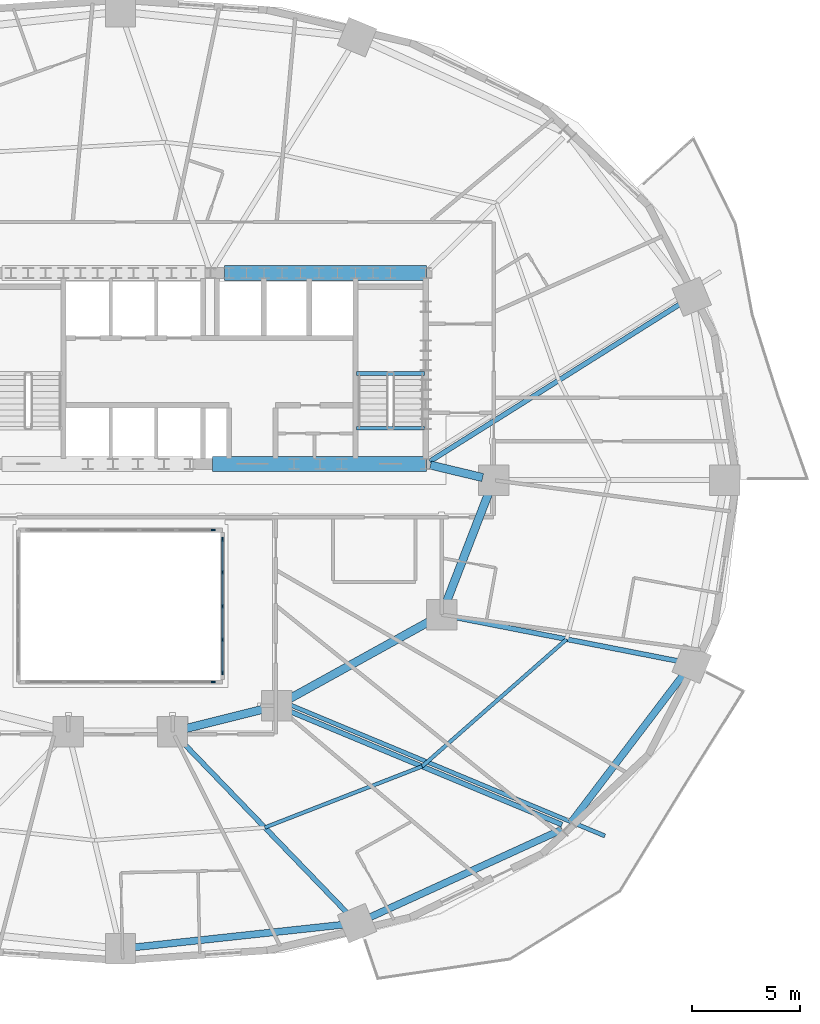
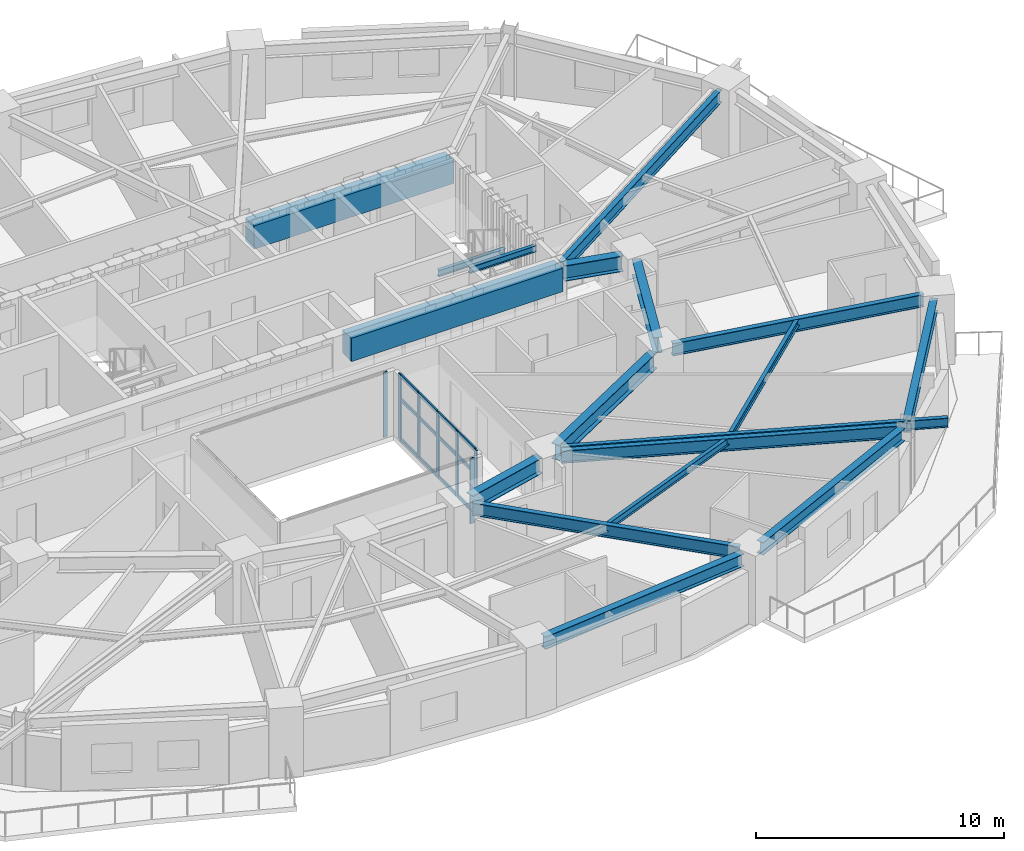
# One storey, part 5 of 15: 19 members, 18 beams, 3 elements without a shape of their own.
"""IFC4 building model written with IfcOpenShell, lengths in metres."""

from ifc_helpers import new_model, si_unit, direction, frame, origin, origin_2d, place, context, subcontext, project, spatial, rectangle, i_section, extrude, material, material_profile, profile_set, type_object, element, aggregate, save


model = new_model("IFC4")

# Units and contexts
model_context = context("Model", 3, precision=1e-05, world=origin(), true_north=direction((0.0, 1.0)))
body_context = subcontext(model_context, "Body", "Model", "MODEL_VIEW")
ifc_project = project(units=[si_unit("LENGTHUNIT", "METRE"), si_unit("AREAUNIT", "SQUARE_METRE"), si_unit("VOLUMEUNIT", "CUBIC_METRE"), si_unit("PLANEANGLEUNIT", "RADIAN"), si_unit("MASSUNIT", "GRAM", prefix="KILO")], contexts=[model_context])

# Site, building, storey
site_placement = place(None, origin())
site = spatial("IfcSite", under=ifc_project, at=site_placement, CompositionType="ELEMENT")
building_placement = place(site_placement, origin())
building = spatial("IfcBuilding", under=site, at=building_placement, Name="Haldorwick Loom Tower", CompositionType="ELEMENT")
storey_placement = place(building_placement, frame((0.0, 0.0, 85.25)))
storey = spatial("IfcBuildingStorey", under=building, at=storey_placement, Name="L22", CompositionType="ELEMENT", Elevation=85.25)

# Curtain wall, member
ifc_material_1 = material(Name="Thermally Broken Anodized Aluminium Curtain Wall Framing", Category="aluminium")
curtain_wall_type = type_object("IfcCurtainWallType", Name="ARC-CW-03", PredefinedType="NOTDEFINED", material=ifc_material_1)
curtain_wall_1_placement = place(storey_placement, origin())
curtain_wall_1 = element("IfcCurtainWall", 1, at=curtain_wall_1_placement, inside=storey, type_object=curtain_wall_type, Name="L22 Atrium Glazed Screen S", PredefinedType="NOTDEFINED")
ifc_material_profile_1 = material_profile(ifc_material_1, rectangle(XDim=0.06591796875, YDim=0.18505859375, at=origin_2d()), Name="ALU_MUL_66X185", Category="aluminium")
ifc_profile_set_1 = profile_set([ifc_material_profile_1], Name="Thermally Broken Anodized Aluminium Curtain Wall Framing")
member_type_1 = type_object("IfcMemberType", Name="ARC-CWM-03", PredefinedType="MULLION", material=ifc_profile_set_1)
member_1_placement = place(storey_placement, frame((40.26708984375, 16.699951171875, 0.0), z_axis=(0.0, 0.0, 1.0), x_axis=(0.0, -1.0, 0.0)))
member_1 = element("IfcMember", 2, at=member_1_placement, type_object=member_type_1, Name="CW-03 mullion 1", PredefinedType="MULLION", context=body_context, shape_type="SweptSolid", body=[
    extrude(rectangle(XDim=0.06591796875, YDim=0.18505859375, at=origin_2d()), origin(), (0.0, 0.0, 1.0), 3.2099609375),
])
aggregate(curtain_wall_1, [member_1])

curtain_wall_2_placement = place(storey_placement, origin())
curtain_wall_2 = element("IfcCurtainWall", 3, at=curtain_wall_2_placement, inside=storey, type_object=curtain_wall_type, Name="L22 Atrium Glazed Screen N", PredefinedType="NOTDEFINED")
member_2_placement = place(storey_placement, frame((40.26708984375, 23.699951171875, 0.0), z_axis=(0.0, 0.0, 1.0), x_axis=(0.0, 1.0, 0.0)))
member_2 = element("IfcMember", 4, at=member_2_placement, type_object=member_type_1, Name="CW-03 mullion 6", PredefinedType="MULLION", context=body_context, shape_type="SweptSolid", body=[
    extrude(rectangle(XDim=0.06591796875, YDim=0.18505859375, at=origin_2d()), origin(), (0.0, 0.0, 1.0), 3.2099609375),
])
aggregate(curtain_wall_2, [member_2])

# Curtain wall, members
curtain_wall_3_placement = place(storey_placement, origin())
curtain_wall_3 = element("IfcCurtainWall", 5, at=curtain_wall_3_placement, inside=storey, type_object=curtain_wall_type, Name="L22 Atrium Glazed Screen E", PredefinedType="NOTDEFINED")
member_3_placement = place(storey_placement, frame((40.699951171875, 23.26708984375, 0.0), z_axis=(0.0, 0.0, 1.0), x_axis=(1.0, 0.0, 0.0)))
member_3 = element("IfcMember", 6, at=member_3_placement, type_object=member_type_1, Name="CW-03 mullion 1", PredefinedType="MULLION", context=body_context, shape_type="SweptSolid", body=[
    extrude(rectangle(XDim=0.06591796875, YDim=0.18505859375, at=origin_2d()), origin(), (0.0, 0.0, 1.0), 3.2099609375),
])
member_4_placement = place(storey_placement, frame((40.699951171875, 21.75, 0.0), z_axis=(0.0, 0.0, 1.0), x_axis=(1.0, 0.0, 0.0)))
member_4 = element("IfcMember", 7, at=member_4_placement, type_object=member_type_1, Name="CW-03 mullion 2", PredefinedType="MULLION", context=body_context, shape_type="SweptSolid", body=[
    extrude(rectangle(XDim=0.06591796875, YDim=0.18505859375, at=origin_2d()), origin(), (0.0, 0.0, 1.0), 3.2099609375),
])
member_5_placement = place(storey_placement, frame((40.699951171875, 20.199951171875, 0.0), z_axis=(0.0, 0.0, 1.0), x_axis=(1.0, 0.0, 0.0)))
member_5 = element("IfcMember", 8, at=member_5_placement, type_object=member_type_1, Name="CW-03 mullion 3", PredefinedType="MULLION", context=body_context, shape_type="SweptSolid", body=[
    extrude(rectangle(XDim=0.06591796875, YDim=0.18505859375, at=origin_2d()), origin(), (0.0, 0.0, 1.0), 3.2099609375),
])
member_6_placement = place(storey_placement, frame((40.699951171875, 18.64990234375, 0.0), z_axis=(0.0, 0.0, 1.0), x_axis=(1.0, 0.0, 0.0)))
member_6 = element("IfcMember", 9, at=member_6_placement, type_object=member_type_1, Name="CW-03 mullion 4", PredefinedType="MULLION", context=body_context, shape_type="SweptSolid", body=[
    extrude(rectangle(XDim=0.06591796875, YDim=0.18505859375, at=origin_2d()), origin(), (0.0, 0.0, 1.0), 3.2099609375),
])
member_7_placement = place(storey_placement, frame((40.699951171875, 17.133056640625, 0.0), z_axis=(0.0, 0.0, 1.0), x_axis=(1.0, 0.0, 0.0)))
member_7 = element("IfcMember", 10, at=member_7_placement, type_object=member_type_1, Name="CW-03 mullion 5", PredefinedType="MULLION", context=body_context, shape_type="SweptSolid", body=[
    extrude(rectangle(XDim=0.06591796875, YDim=0.18505859375, at=origin_2d()), origin(), (0.0, 0.0, 1.0), 3.2099609375),
])
ifc_material_profile_2 = material_profile(ifc_material_1, rectangle(XDim=0.06591796875, YDim=0.1650390625, at=origin_2d()), Name="ALU_TRN_66X165", Category="aluminium")
ifc_profile_set_2 = profile_set([ifc_material_profile_2], Name="Thermally Broken Anodized Aluminium Curtain Wall Framing")
member_type_2 = type_object("IfcMemberType", Name="ARC-CWT-03", PredefinedType="USERDEFINED", material=ifc_profile_set_2)
member_8_placement = place(storey_placement, frame((40.699951171875, 23.23388671875, 0.032958984375), z_axis=(0.0, -1.0, 0.0), x_axis=(1.0, 0.0, 0.0)))
member_8 = element("IfcMember", 11, at=member_8_placement, type_object=member_type_2, Name="CW-03 transom 1.1", ObjectType="TRANSOM", PredefinedType="USERDEFINED", context=body_context, shape_type="SweptSolid", body=[
    extrude(rectangle(XDim=0.06591796875, YDim=0.1650390625, at=origin_2d()), origin(), (0.0, 0.0, 1.0), 1.450927734375),
])
member_9_placement = place(storey_placement, frame((40.699951171875, 23.23388671875, 2.0), z_axis=(0.0, -1.0, 0.0), x_axis=(1.0, 0.0, 0.0)))
member_9 = element("IfcMember", 12, at=member_9_placement, type_object=member_type_2, Name="CW-03 transom 1.2", ObjectType="TRANSOM", PredefinedType="USERDEFINED", context=body_context, shape_type="SweptSolid", body=[
    extrude(rectangle(XDim=0.06591796875, YDim=0.1650390625, at=origin_2d()), origin(), (0.0, 0.0, 1.0), 1.450927734375),
])
member_10_placement = place(storey_placement, frame((40.699951171875, 23.23388671875, 3.177001953125), z_axis=(0.0, -1.0, 0.0), x_axis=(1.0, 0.0, 0.0)))
member_10 = element("IfcMember", 13, at=member_10_placement, type_object=member_type_2, Name="CW-03 transom 1.3", ObjectType="TRANSOM", PredefinedType="USERDEFINED", context=body_context, shape_type="SweptSolid", body=[
    extrude(rectangle(XDim=0.06591796875, YDim=0.1650390625, at=origin_2d()), origin(), (0.0, 0.0, 1.0), 1.450927734375),
])
member_11_placement = place(storey_placement, frame((40.699951171875, 21.717041015625, 0.032958984375), z_axis=(0.0, -1.0, 0.0), x_axis=(1.0, 0.0, 0.0)))
member_11 = element("IfcMember", 14, at=member_11_placement, type_object=member_type_2, Name="CW-03 transom 2.1", ObjectType="TRANSOM", PredefinedType="USERDEFINED", context=body_context, shape_type="SweptSolid", body=[
    extrude(rectangle(XDim=0.06591796875, YDim=0.1650390625, at=origin_2d()), origin(), (0.0, 0.0, 1.0), 1.484130859375),
])
member_12_placement = place(storey_placement, frame((40.699951171875, 21.717041015625, 2.0), z_axis=(0.0, -1.0, 0.0), x_axis=(1.0, 0.0, 0.0)))
member_12 = element("IfcMember", 15, at=member_12_placement, type_object=member_type_2, Name="CW-03 transom 2.2", ObjectType="TRANSOM", PredefinedType="USERDEFINED", context=body_context, shape_type="SweptSolid", body=[
    extrude(rectangle(XDim=0.06591796875, YDim=0.1650390625, at=origin_2d()), origin(), (0.0, 0.0, 1.0), 1.484130859375),
])
member_13_placement = place(storey_placement, frame((40.699951171875, 21.717041015625, 3.177001953125), z_axis=(0.0, -1.0, 0.0), x_axis=(1.0, 0.0, 0.0)))
member_13 = element("IfcMember", 16, at=member_13_placement, type_object=member_type_2, Name="CW-03 transom 2.3", ObjectType="TRANSOM", PredefinedType="USERDEFINED", context=body_context, shape_type="SweptSolid", body=[
    extrude(rectangle(XDim=0.06591796875, YDim=0.1650390625, at=origin_2d()), origin(), (0.0, 0.0, 1.0), 1.484130859375),
])
member_14_placement = place(storey_placement, frame((40.699951171875, 20.1669921875, 0.032958984375), z_axis=(0.0, -1.0, 0.0), x_axis=(1.0, 0.0, 0.0)))
member_14 = element("IfcMember", 17, at=member_14_placement, type_object=member_type_2, Name="CW-03 transom 3.1", ObjectType="TRANSOM", PredefinedType="USERDEFINED", context=body_context, shape_type="SweptSolid", body=[
    extrude(rectangle(XDim=0.06591796875, YDim=0.1650390625, at=origin_2d()), origin(), (0.0, 0.0, 1.0), 1.48388671875),
])
member_15_placement = place(storey_placement, frame((40.699951171875, 20.1669921875, 2.0), z_axis=(0.0, -1.0, 0.0), x_axis=(1.0, 0.0, 0.0)))
member_15 = element("IfcMember", 18, at=member_15_placement, type_object=member_type_2, Name="CW-03 transom 3.2", ObjectType="TRANSOM", PredefinedType="USERDEFINED", context=body_context, shape_type="SweptSolid", body=[
    extrude(rectangle(XDim=0.06591796875, YDim=0.1650390625, at=origin_2d()), origin(), (0.0, 0.0, 1.0), 1.48388671875),
])
member_16_placement = place(storey_placement, frame((40.699951171875, 20.1669921875, 3.177001953125), z_axis=(0.0, -1.0, 0.0), x_axis=(1.0, 0.0, 0.0)))
member_16 = element("IfcMember", 19, at=member_16_placement, type_object=member_type_2, Name="CW-03 transom 3.3", ObjectType="TRANSOM", PredefinedType="USERDEFINED", context=body_context, shape_type="SweptSolid", body=[
    extrude(rectangle(XDim=0.06591796875, YDim=0.1650390625, at=origin_2d()), origin(), (0.0, 0.0, 1.0), 1.48388671875),
])
member_17_placement = place(storey_placement, frame((40.699951171875, 18.616943359375, 0.032958984375), z_axis=(0.0, -1.0, 0.0), x_axis=(1.0, 0.0, 0.0)))
member_17 = element("IfcMember", 20, at=member_17_placement, type_object=member_type_2, Name="CW-03 transom 4.1", ObjectType="TRANSOM", PredefinedType="USERDEFINED", context=body_context, shape_type="SweptSolid", body=[
    extrude(rectangle(XDim=0.06591796875, YDim=0.1650390625, at=origin_2d()), origin(), (0.0, 0.0, 1.0), 1.450927734375),
])
member_18_placement = place(storey_placement, frame((40.699951171875, 18.616943359375, 2.0), z_axis=(0.0, -1.0, 0.0), x_axis=(1.0, 0.0, 0.0)))
member_18 = element("IfcMember", 21, at=member_18_placement, type_object=member_type_2, Name="CW-03 transom 4.2", ObjectType="TRANSOM", PredefinedType="USERDEFINED", context=body_context, shape_type="SweptSolid", body=[
    extrude(rectangle(XDim=0.06591796875, YDim=0.1650390625, at=origin_2d()), origin(), (0.0, 0.0, 1.0), 1.450927734375),
])
member_19_placement = place(storey_placement, frame((40.699951171875, 18.616943359375, 3.177001953125), z_axis=(0.0, -1.0, 0.0), x_axis=(1.0, 0.0, 0.0)))
member_19 = element("IfcMember", 22, at=member_19_placement, type_object=member_type_2, Name="CW-03 transom 4.3", ObjectType="TRANSOM", PredefinedType="USERDEFINED", context=body_context, shape_type="SweptSolid", body=[
    extrude(rectangle(XDim=0.06591796875, YDim=0.1650390625, at=origin_2d()), origin(), (0.0, 0.0, 1.0), 1.450927734375),
])
aggregate(curtain_wall_3, [member_3, member_4, member_5, member_6, member_7, member_8, member_9, member_10, member_11, member_12, member_13, member_14, member_15, member_16, member_17, member_18, member_19])

# Beams
ifc_material_2 = material(Name="Steel CSA G40.21 350W", Category="steel")
ifc_material_profile_3 = material_profile(ifc_material_2, i_section(OverallWidth=0.193115234375, OverallDepth=0.466064453125, WebThickness=0.011474609375, FlangeThickness=0.01904296875, at=origin_2d()), Name="W460X97", Category="steel")
ifc_profile_set_3 = profile_set([ifc_material_profile_3], Name="Steel CSA G40.21 350W")
beam_type_1 = type_object("IfcBeamType", Name="STR-BM-BAL460", PredefinedType="BEAM", material=ifc_profile_set_3)
beam_1_placement = place(storey_placement, frame((43.78759765625, 15.65869140625, 2.97705078125), z_axis=(0.923187850755, -0.384349049976, 0.0), x_axis=(0.384349049976, 0.923187850755, 0.0)))
element("IfcBeam", 23, at=beam_1_placement, inside=storey, type_object=beam_type_1, Name="L22 Continuous Back-Spanned Balcony Beam 1", PredefinedType="BEAM", context=body_context, shape_type="SweptSolid", body=[
    extrude(i_section(OverallWidth=0.193115234375, OverallDepth=0.466064453125, WebThickness=0.011474609375, FlangeThickness=0.01904296875, at=origin_2d()), origin(), (0.0, 0.0, 1.0), 15.75244140625),
])
ifc_material_3 = material(Name="Concrete C60 (60 MPa)", Category="concrete")
ifc_material_profile_4 = material_profile(ifc_material_3, rectangle(XDim=0.699951171875, YDim=1.14990234375, at=origin_2d()), Name="RC700X1150", Category="concrete")
ifc_profile_set_4 = profile_set([ifc_material_profile_4], Name="Concrete C60 (60 MPa)")
beam_type_2 = type_object("IfcBeamType", Name="STR-BM-CB1150", PredefinedType="LINTEL", material=ifc_profile_set_4)
beam_2_placement = place(storey_placement, frame((40.800048828125, 35.550048828125, 2.635009765625), z_axis=(1.0, 0.0, 0.0), x_axis=(0.0, 1.0, 0.0)))
element("IfcBeam", 24, at=beam_2_placement, inside=storey, type_object=beam_type_2, Name="L22 Core Coupling Beam CB-N3", PredefinedType="LINTEL", context=body_context, shape_type="SweptSolid", body=[
    extrude(rectangle(XDim=0.699951171875, YDim=1.14990234375, at=origin_2d()), origin(), (0.0, 0.0, 1.0), 9.300048828125),
])
beam_3_placement = place(storey_placement, frame((40.25, 26.75, 2.635009765625), z_axis=(1.0, 0.0, 0.0), x_axis=(0.0, 1.0, 0.0)))
element("IfcBeam", 25, at=beam_3_placement, inside=storey, type_object=beam_type_2, Name="L22 Core Coupling Beam CB-S3", PredefinedType="LINTEL", context=body_context, shape_type="SweptSolid", body=[
    extrude(rectangle(XDim=0.699951171875, YDim=1.14990234375, at=origin_2d()), origin(), (0.0, 0.0, 1.0), 9.85009765625),
])
ifc_material_profile_5 = material_profile(ifc_material_2, i_section(OverallWidth=0.172119140625, OverallDepth=0.35791015625, WebThickness=0.0078125, FlangeThickness=0.01318359375, at=origin_2d()), Name="W360X57", Category="steel")
ifc_profile_set_5 = profile_set([ifc_material_profile_5], Name="Steel CSA G40.21 350W")
beam_type_3 = type_object("IfcBeamType", Name="STR-BM-J360", PredefinedType="JOIST", material=ifc_profile_set_5)
beam_4_placement = place(storey_placement, frame((42.6533203125, 9.9912109375, 3.031005859375), z_axis=(0.932072983051, 0.362270553959, 0.0), x_axis=(-0.362270553959, 0.932072983051, 0.0)))
element("IfcBeam", 26, at=beam_4_placement, inside=storey, type_object=beam_type_3, Name="L22 Mid-Bay Secondary Joist 14", PredefinedType="JOIST", context=body_context, shape_type="SweptSolid", body=[
    extrude(i_section(OverallWidth=0.172119140625, OverallDepth=0.35791015625, WebThickness=0.0078125, FlangeThickness=0.01318359375, at=origin_2d()), origin(), (0.0, 0.0, 1.0), 7.7783203125),
])
beam_5_placement = place(storey_placement, frame((49.9033203125, 12.80908203125, 3.031005859375), z_axis=(0.750721157729, 0.660619212057, 0.0), x_axis=(-0.660619212057, 0.750721157729, 0.0)))
element("IfcBeam", 27, at=beam_5_placement, inside=storey, type_object=beam_type_3, Name="L22 Mid-Bay Secondary Joist 15", PredefinedType="JOIST", context=body_context, shape_type="SweptSolid", body=[
    extrude(i_section(OverallWidth=0.172119140625, OverallDepth=0.35791015625, WebThickness=0.0078125, FlangeThickness=0.01318359375, at=origin_2d()), origin(), (0.0, 0.0, 1.0), 8.8740234375),
])
ifc_material_profile_6 = material_profile(ifc_material_2, i_section(OverallWidth=0.324951171875, OverallDepth=0.615966796875, WebThickness=0.013916015625, FlangeThickness=0.021484375, at=origin_2d()), Name="W610X174", Category="steel")
ifc_profile_set_6 = profile_set([ifc_material_profile_6], Name="Steel CSA G40.21 350W")
beam_type_4 = type_object("IfcBeamType", Name="STR-BM-SP610", PredefinedType="SPANDREL", material=ifc_profile_set_6)
beam_6_placement = place(storey_placement, frame((36.51708984375, 4.45751953125, 2.902099609375), z_axis=(0.994190135627, 0.107638163409, 0.0), x_axis=(-0.107638163409, 0.994190135627, 0.0)))
element("IfcBeam", 28, at=beam_6_placement, inside=storey, type_object=beam_type_4, Name="L22 Perimeter Spandrel 13", PredefinedType="SPANDREL", context=body_context, shape_type="SweptSolid", body=[
    extrude(i_section(OverallWidth=0.324951171875, OverallDepth=0.615966796875, WebThickness=0.013916015625, FlangeThickness=0.021484375, at=origin_2d()), origin(), (0.0, 0.0, 1.0), 9.929931640625),
])
beam_7_placement = place(storey_placement, frame((47.37939453125, 5.798583984375, 2.902099609375), z_axis=(0.909423969306, 0.415870225011, 0.0), x_axis=(-0.415870225011, 0.909423969306, 0.0)))
element("IfcBeam", 29, at=beam_7_placement, inside=storey, type_object=beam_type_4, Name="L22 Perimeter Spandrel 14", PredefinedType="SPANDREL", context=body_context, shape_type="SweptSolid", body=[
    extrude(i_section(OverallWidth=0.324951171875, OverallDepth=0.615966796875, WebThickness=0.013916015625, FlangeThickness=0.021484375, at=origin_2d()), origin(), (0.0, 0.0, 1.0), 9.871337890625),
])
beam_8_placement = place(storey_placement, frame((56.773193359375, 10.2373046875, 2.902099609375), z_axis=(0.605453508047, 0.795880675475, 0.0), x_axis=(-0.795880675475, 0.605453508047, 0.0)))
element("IfcBeam", 30, at=beam_8_placement, inside=storey, type_object=beam_type_4, Name="L22 Perimeter Spandrel 15", PredefinedType="SPANDREL", context=body_context, shape_type="SweptSolid", body=[
    extrude(i_section(OverallWidth=0.324951171875, OverallDepth=0.615966796875, WebThickness=0.013916015625, FlangeThickness=0.021484375, at=origin_2d()), origin(), (0.0, 0.0, 1.0), 8.6591796875),
])
ifc_material_profile_7 = material_profile(ifc_material_2, i_section(OverallWidth=0.166015625, OverallDepth=0.31298828125, WebThickness=0.006591796875, FlangeThickness=0.01123046875, at=origin_2d()), Name="W310X45", Category="steel")
ifc_profile_set_7 = profile_set([ifc_material_profile_7], Name="Steel CSA G40.21 350W")
beam_type_5 = type_object("IfcBeamType", Name="STR-BM-STRM", PredefinedType="BEAM", material=ifc_profile_set_7)
for number, where, z_axis, x_axis, name in (
    (31, (46.889892578125, 28.39990234375, 3.053466796875), (1.0, 0.0, 0.0), (0.0, 1.0, 0.0), "L22 Stair ST-02 Landing Edge Trimmer"),
    (32, (46.889892578125, 30.919921875, 1.368408203125), (1.0, 0.0, 0.0), (0.0, 1.0, 0.0), "L22 Stair ST-02 Half-Landing Trimmer 1"),
):
    element("IfcBeam", number, at=place(storey_placement, frame(where, z_axis=z_axis, x_axis=x_axis)), inside=storey, type_object=beam_type_5, Name=name, PredefinedType="BEAM", context=body_context, shape_type="SweptSolid", body=[
        extrude(i_section(OverallWidth=0.166015625, OverallDepth=0.31298828125, WebThickness=0.006591796875, FlangeThickness=0.01123046875, at=origin_2d()), origin(), (0.0, 0.0, 1.0), 3.1201171875),
    ])
ifc_material_profile_8 = material_profile(ifc_material_2, i_section(OverallWidth=0.22998046875, OverallDepth=0.616943359375, WebThickness=0.01318359375, FlangeThickness=0.022216796875, at=origin_2d()), Name="W610X140", Category="steel")
ifc_profile_set_8 = profile_set([ifc_material_profile_8], Name="Steel CSA G40.21 350W")
beam_type_6 = type_object("IfcBeamType", Name="STR-BM-W610B", PredefinedType="BEAM", material=ifc_profile_set_8)
beam_9_placement = place(storey_placement, frame((50.260498046875, 26.86962890625, 2.901611328125), z_axis=(0.846609551433, 0.532214493811, 0.0), x_axis=(-0.532214493811, 0.846609551433, 0.0)))
element("IfcBeam", 33, at=beam_9_placement, inside=storey, type_object=beam_type_6, Name="L22 Radial Floor Girder 2", PredefinedType="BEAM", context=body_context, shape_type="SweptSolid", body=[
    extrude(i_section(OverallWidth=0.22998046875, OverallDepth=0.616943359375, WebThickness=0.01318359375, FlangeThickness=0.022216796875, at=origin_2d()), origin(), (0.0, 0.0, 1.0), 13.737060546875),
])
beam_10_placement = place(storey_placement, frame((38.760986328125, 14.02587890625, 2.901611328125), z_axis=(0.694287071595, -0.719698174387, 0.0), x_axis=(0.719698174387, 0.694287071595, 0.0)))
element("IfcBeam", 34, at=beam_10_placement, inside=storey, type_object=beam_type_6, Name="L22 Radial Floor Girder 14", PredefinedType="BEAM", context=body_context, shape_type="SweptSolid", body=[
    extrude(i_section(OverallWidth=0.22998046875, OverallDepth=0.616943359375, WebThickness=0.01318359375, FlangeThickness=0.022216796875, at=origin_2d()), origin(), (0.0, 0.0, 1.0), 11.212158203125),
])
beam_11_placement = place(storey_placement, frame((43.68017578125, 15.400146484375, 2.901611328125), z_axis=(0.923183704764, -0.384359008297, 0.0), x_axis=(0.384359008297, 0.923183704764, 0.0)))
element("IfcBeam", 35, at=beam_11_placement, inside=storey, type_object=beam_type_6, Name="L22 Radial Floor Girder 15", PredefinedType="BEAM", context=body_context, shape_type="SweptSolid", body=[
    extrude(i_section(OverallWidth=0.22998046875, OverallDepth=0.616943359375, WebThickness=0.01318359375, FlangeThickness=0.022216796875, at=origin_2d()), origin(), (0.0, 0.0, 1.0), 13.72705078125),
])
beam_12_placement = place(storey_placement, frame((51.310302734375, 19.7001953125, 2.901611328125), z_axis=(0.981369581426, -0.192129499692, 0.0), x_axis=(0.192129499692, 0.981369581426, 0.0)))
element("IfcBeam", 36, at=beam_12_placement, inside=storey, type_object=beam_type_6, Name="L22 Radial Floor Girder 16", PredefinedType="BEAM", context=body_context, shape_type="SweptSolid", body=[
    extrude(i_section(OverallWidth=0.22998046875, OverallDepth=0.616943359375, WebThickness=0.01318359375, FlangeThickness=0.022216796875, at=origin_2d()), origin(), (0.0, 0.0, 1.0), 10.70947265625),
])
ifc_material_profile_9 = material_profile(ifc_material_2, i_section(OverallWidth=0.381103515625, OverallDepth=0.77294921875, WebThickness=0.0166015625, FlangeThickness=0.027587890625, at=origin_2d()), Name="W760X257", Category="steel")
ifc_profile_set_9 = profile_set([ifc_material_profile_9], Name="Steel CSA G40.21 350W")
beam_type_7 = type_object("IfcBeamType", Name="STR-BM-W760", PredefinedType="BEAM", material=ifc_profile_set_9)
beam_13_placement = place(storey_placement, frame((50.288818359375, 26.697509765625, 2.823486328125), z_axis=(0.97247055837, -0.233025777764, 0.0), x_axis=(0.233025777764, 0.97247055837, 0.0)))
element("IfcBeam", 37, at=beam_13_placement, inside=storey, type_object=beam_type_7, Name="L22 Inner Ring Girder 1", PredefinedType="BEAM", context=body_context, shape_type="SweptSolid", body=[
    extrude(i_section(OverallWidth=0.381103515625, OverallDepth=0.77294921875, WebThickness=0.0166015625, FlangeThickness=0.027587890625, at=origin_2d()), origin(), (0.0, 0.0, 1.0), 2.4736328125),
])
beam_14_placement = place(storey_placement, frame((53.01220703125, 25.51513671875, 2.823486328125), z_axis=(-0.360964792353, -0.93257944363, 0.0), x_axis=(0.93257944363, -0.360964792353, 0.0)))
element("IfcBeam", 38, at=beam_14_placement, inside=storey, type_object=beam_type_7, Name="L22 Inner Ring Girder 2", PredefinedType="BEAM", context=body_context, shape_type="SweptSolid", body=[
    extrude(i_section(OverallWidth=0.381103515625, OverallDepth=0.77294921875, WebThickness=0.0166015625, FlangeThickness=0.027587890625, at=origin_2d()), origin(), (0.0, 0.0, 1.0), 5.6083984375),
])
beam_15_placement = place(storey_placement, frame((50.344970703125, 19.548583984375, 2.823486328125), z_axis=(-0.875244382146, -0.483680960471, 0.0), x_axis=(0.483680960471, -0.875244382146, 0.0)))
element("IfcBeam", 39, at=beam_15_placement, inside=storey, type_object=beam_type_7, Name="L22 Inner Ring Girder 3", PredefinedType="BEAM", context=body_context, shape_type="SweptSolid", body=[
    extrude(i_section(OverallWidth=0.381103515625, OverallDepth=0.77294921875, WebThickness=0.0166015625, FlangeThickness=0.027587890625, at=origin_2d()), origin(), (0.0, 0.0, 1.0), 7.6435546875),
])
beam_16_placement = place(storey_placement, frame((42.695556640625, 15.473876953125, 2.823486328125), z_axis=(-0.970142500145, -0.242535625036, 0.0), x_axis=(0.242535625036, -0.970142500145, 0.0)))
element("IfcBeam", 40, at=beam_16_placement, inside=storey, type_object=beam_type_7, Name="L22 Inner Ring Girder 4", PredefinedType="BEAM", context=body_context, shape_type="SweptSolid", body=[
    extrude(i_section(OverallWidth=0.381103515625, OverallDepth=0.77294921875, WebThickness=0.0166015625, FlangeThickness=0.027587890625, at=origin_2d()), origin(), (0.0, 0.0, 1.0), 3.90771484375),
])

save(model, "model.ifc")
